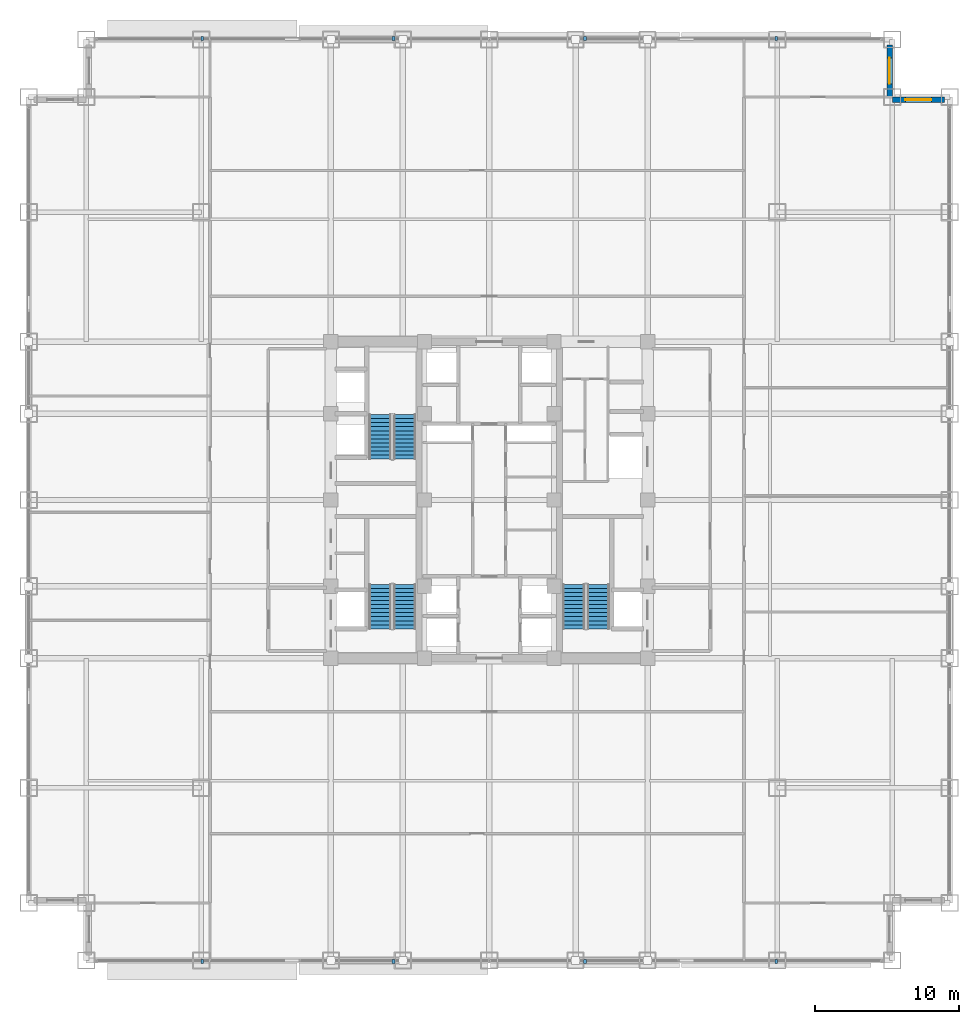
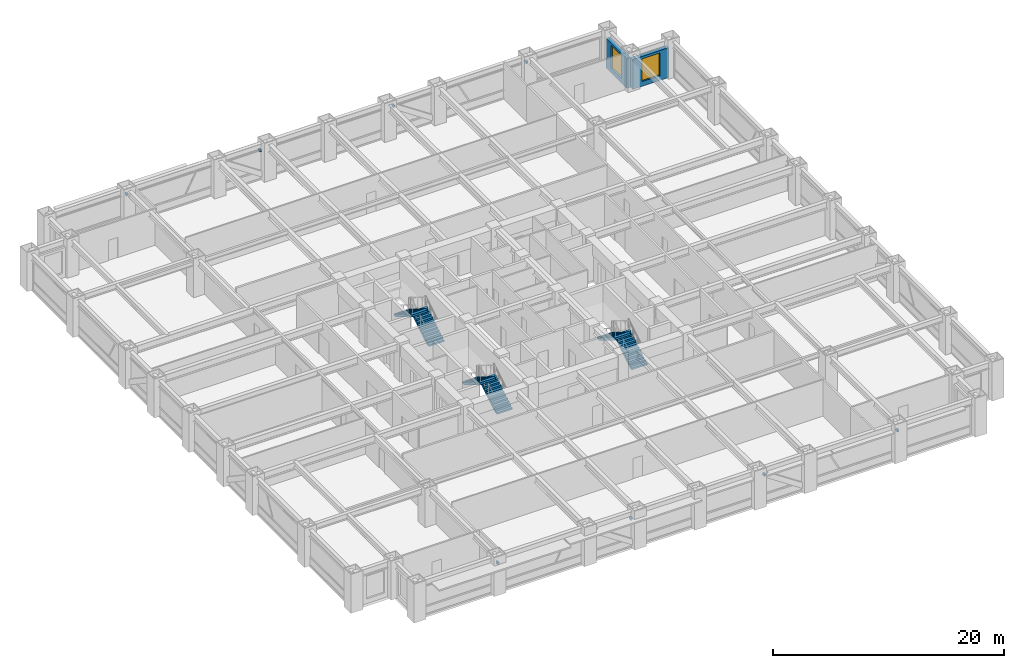
# One storey, part 27 of 32: 8 discrete accessories, 6 stair flights, 2 walls, 2 windows, 2 openings, 3 elements without a shape of their own.
"""IFC4 building model written with IfcOpenShell, lengths in metres."""

from ifc_helpers import new_model, si_unit, direction, frame, frame_2d, origin, origin_2d, place, context, subcontext, project, spatial, polyline, rectangle, outline, extrude, source, transform, mapped, material, layer, layer_set, type_object, element, fill, aggregate, save


model = new_model("IFC4")

# Units and contexts
model_context = context("Model", 3, precision=1e-05, world=origin(), true_north=direction((0.0, 1.0)))
body_context = subcontext(model_context, "Body", "Model", "MODEL_VIEW")
ifc_project = project(units=[si_unit("LENGTHUNIT", "METRE"), si_unit("AREAUNIT", "SQUARE_METRE"), si_unit("VOLUMEUNIT", "CUBIC_METRE"), si_unit("PLANEANGLEUNIT", "RADIAN"), si_unit("MASSUNIT", "GRAM", prefix="KILO")], contexts=[model_context])

# Site, building, storey
site_placement = place(None, origin())
site = spatial("IfcSite", under=ifc_project, at=site_placement, CompositionType="ELEMENT")
building_placement = place(site_placement, origin())
building = spatial("IfcBuilding", under=site, at=building_placement, Name="Khorayat Bourse Tower", CompositionType="ELEMENT")
storey_placement = place(building_placement, frame((0.0, 0.0, 99.60009765625)))
storey = spatial("IfcBuildingStorey", under=building, at=storey_placement, Name="L22", CompositionType="ELEMENT", Elevation=99.60009765625)

# Wall, opening, window
ifc_material_1 = material(Name="Precast concrete C45/55", Category="concrete")
ifc_layer = layer(ifc_material_1, 0.3798828125)
ifc_layer_set = layer_set([ifc_layer], Name="Precast concrete C45/55")
wall_type = type_object("IfcWallType", Name="WAL-EXT-STONE-380", PredefinedType="STANDARD", material=ifc_layer_set)
shared_shape_1 = source(origin(), body_context, "Body", "SweptSolid", [
    extrude(rectangle(XDim=3.6201171875, YDim=0.3798828125, at=frame_2d((1.81005859375, 0.0))), origin(), (0.0, 0.0, 1.0), 3.14501953125),
])
wall_1_placement = place(storey_placement, frame((28.0, 27.81005859375, 0.0), z_axis=(0.0, 0.0, 1.0), x_axis=(1.0, 0.0, 0.0)))
wall_1 = element("IfcWall", 1, at=wall_1_placement, inside=storey, type_object=wall_type, Name="L22 Re-Entrant Notch Limestone Wall NE-H", PredefinedType="STANDARD", context=body_context, shape_type="MappedRepresentation", body=[
    mapped(shared_shape_1, transform((0.0, 0.0, 0.0), scale=1.0)),
])
shared_shape_2 = source(origin(), body_context, "Body", "SweptSolid", [
    extrude(rectangle(XDim=1.800048828125, YDim=2.39990234375, at=frame_2d((0.89990234375, 1.199951171875))), frame((0.0, 0.199951171875, 0.0), z_axis=(0.0, -1.0, 0.0), x_axis=(1.0, 0.0, 0.0)), (0.0, 0.0, 1.0), 0.39990234375),
])
opening_1_placement = place(wall_1_placement, frame((0.909912109375, 0.0, 0.5)))
opening_1 = element("IfcOpeningElement", 2, at=opening_1_placement, cuts=wall_1, Name="Opening WN-04", PredefinedType="OPENING", context=body_context, shape_type="MappedRepresentation", body=[
    mapped(shared_shape_2, transform((0.0, 0.0, 0.0), scale=1.0)),
])
ifc_material_2 = material(Name="Low-E acoustic laminated double glazing", Category="glass")
window_type = type_object("IfcWindowType", Name="WIN-NOTCH-1800x2400", PartitioningType="SINGLE_PANEL", PredefinedType="WINDOW", material=ifc_material_2)
shared_shape_3 = source(origin(), body_context, "Body", "SweptSolid", [
    extrude(rectangle(XDim=1.800048828125, YDim=2.39990234375, at=frame_2d((0.89990234375, 1.199951171875))), frame((0.0, 0.030029296875, 0.0), z_axis=(0.0, -1.0, 0.0), x_axis=(1.0, 0.0, 0.0)), (0.0, 0.0, 1.0), 0.06005859375),
])
window_1_placement = place(opening_1_placement, origin())
window_1 = element("IfcWindow", 3, at=window_1_placement, inside=storey, type_object=window_type, Name="L22 Facade Window 1", OverallHeight=2.39990234375, OverallWidth=1.800048828125, PartitioningType="SINGLE_PANEL", PredefinedType="WINDOW", context=body_context, shape_type="MappedRepresentation", body=[
    mapped(shared_shape_3, transform((0.0, 0.0, 0.0), scale=1.0)),
])
fill(opening_1, window_1)

wall_2_placement = place(storey_placement, frame((27.81005859375, 28.0, 0.0), z_axis=(0.0, 0.0, 1.0), x_axis=(0.0, 1.0, 0.0)))
wall_2 = element("IfcWall", 4, at=wall_2_placement, inside=storey, type_object=wall_type, Name="L22 Re-Entrant Notch Limestone Wall NE-V", PredefinedType="STANDARD", context=body_context, shape_type="MappedRepresentation", body=[
    mapped(shared_shape_1, transform((0.0, 0.0, 0.0), scale=1.0)),
])
opening_2_placement = place(wall_2_placement, frame((0.909912109375, 0.0, 0.5)))
opening_2 = element("IfcOpeningElement", 5, at=opening_2_placement, cuts=wall_2, Name="Opening WN-04", PredefinedType="OPENING", context=body_context, shape_type="MappedRepresentation", body=[
    mapped(shared_shape_2, transform((0.0, 0.0, 0.0), scale=1.0)),
])
window_2_placement = place(opening_2_placement, origin())
window_2 = element("IfcWindow", 6, at=window_2_placement, inside=storey, type_object=window_type, Name="L22 Facade Window 1", OverallHeight=2.39990234375, OverallWidth=1.800048828125, PartitioningType="SINGLE_PANEL", PredefinedType="WINDOW", context=body_context, shape_type="MappedRepresentation", body=[
    mapped(shared_shape_3, transform((0.0, 0.0, 0.0), scale=1.0)),
])
fill(opening_2, window_2)

# Stair, stair flights
ifc_material_3 = material(Name="Concrete C40/50", Category="concrete")
stair_type = type_object("IfcStairType", Name="STR-CORE-1550", PredefinedType="HALF_TURN_STAIR", material=ifc_material_3)
stair_1_placement = place(storey_placement, origin())
stair_1 = element("IfcStair", 7, at=stair_1_placement, inside=storey, type_object=stair_type, Name="L22 Exit Stair ST-1", PredefinedType="HALF_TURN_STAIR")
stair_flight_type = type_object("IfcStairFlightType", Name="FLT-CORE-1550", PredefinedType="STRAIGHT", material=ifc_material_3)
shared_shape_4 = source(origin(), body_context, "Body", "SweptSolid", [
    extrude(outline(polyline([(0.0, 0.0), (0.0, 0.1708984375), (0.280029296875, 0.1708984375), (0.280029296875, 0.341552734375), (0.56005859375, 0.341552734375), (0.56005859375, 0.512451171875), (0.840087890625, 0.512451171875), (0.840087890625, 0.683349609375), (1.1201171875, 0.683349609375), (1.1201171875, 0.854248046875), (1.39990234375, 0.854248046875), (1.39990234375, 1.02490234375), (1.679931640625, 1.02490234375), (1.679931640625, 1.19580078125), (1.9599609375, 1.19580078125), (1.9599609375, 1.36669921875), (2.239990234375, 1.36669921875), (2.239990234375, 1.53759765625), (2.52001953125, 1.53759765625), (2.52001953125, 1.708251953125), (2.800048828125, 1.708251953125), (2.800048828125, 1.879150390625), (3.080078125, 1.879150390625), (3.080078125, 2.050048828125), (3.080078125, 1.66845703125), (0.345458984375, 0.0), (0.0, 0.0)])), frame((0.0, 0.77490234375, 0.0), z_axis=(0.0, -1.0, 0.0), x_axis=(1.0, 0.0, 0.0)), (0.0, 0.0, 1.0), 1.550048828125),
])
stair_flight_1_placement = place(storey_placement, frame((-5.875, -8.949951171875, 0.0), z_axis=(0.0, 0.0, 1.0), x_axis=(0.0, 1.0, 0.0)))
stair_flight_1 = element("IfcStairFlight", 8, at=stair_flight_1_placement, type_object=stair_flight_type, Name="ST-1 flight 1", NumberOfRisers=12, NumberOfTreads=11, PredefinedType="STRAIGHT", RiserHeight=0.170833333, TreadLength=0.28, context=body_context, shape_type="MappedRepresentation", body=[
    mapped(shared_shape_4, transform((0.0, 0.0, 0.0), scale=1.0)),
])
stair_flight_2_placement = place(storey_placement, frame((-7.574951171875, -5.8701171875, 2.0498046875), z_axis=(0.0, 0.0, 1.0), x_axis=(0.0, -1.0, 0.0)))
stair_flight_2 = element("IfcStairFlight", 9, at=stair_flight_2_placement, type_object=stair_flight_type, Name="ST-1 flight 2", NumberOfRisers=12, NumberOfTreads=11, PredefinedType="STRAIGHT", RiserHeight=0.170833333, TreadLength=0.28, context=body_context, shape_type="MappedRepresentation", body=[
    mapped(shared_shape_4, transform((0.0, 0.0, 0.0), scale=1.0)),
])
aggregate(stair_1, [stair_flight_1, stair_flight_2])

stair_2_placement = place(storey_placement, origin())
stair_2 = element("IfcStair", 10, at=stair_2_placement, inside=storey, type_object=stair_type, Name="L22 Exit Stair ST-2", PredefinedType="HALF_TURN_STAIR")
stair_flight_3_placement = place(storey_placement, frame((-5.875, 2.85009765625, 0.0), z_axis=(0.0, 0.0, 1.0), x_axis=(0.0, 1.0, 0.0)))
stair_flight_3 = element("IfcStairFlight", 11, at=stair_flight_3_placement, type_object=stair_flight_type, Name="ST-2 flight 1", NumberOfRisers=12, NumberOfTreads=11, PredefinedType="STRAIGHT", RiserHeight=0.170833333, TreadLength=0.28, context=body_context, shape_type="MappedRepresentation", body=[
    mapped(shared_shape_4, transform((0.0, 0.0, 0.0), scale=1.0)),
])
stair_flight_4_placement = place(storey_placement, frame((-7.574951171875, 5.929931640625, 2.0498046875), z_axis=(0.0, 0.0, 1.0), x_axis=(0.0, -1.0, 0.0)))
stair_flight_4 = element("IfcStairFlight", 12, at=stair_flight_4_placement, type_object=stair_flight_type, Name="ST-2 flight 2", NumberOfRisers=12, NumberOfTreads=11, PredefinedType="STRAIGHT", RiserHeight=0.170833333, TreadLength=0.28, context=body_context, shape_type="MappedRepresentation", body=[
    mapped(shared_shape_4, transform((0.0, 0.0, 0.0), scale=1.0)),
])
aggregate(stair_2, [stair_flight_3, stair_flight_4])

stair_3_placement = place(storey_placement, origin())
stair_3 = element("IfcStair", 13, at=stair_3_placement, inside=storey, type_object=stair_type, Name="L22 Exit Stair ST-3", PredefinedType="HALF_TURN_STAIR")
stair_flight_5_placement = place(storey_placement, frame((7.574951171875, -8.949951171875, 0.0), z_axis=(0.0, 0.0, 1.0), x_axis=(0.0, 1.0, 0.0)))
stair_flight_5 = element("IfcStairFlight", 14, at=stair_flight_5_placement, type_object=stair_flight_type, Name="ST-3 flight 1", NumberOfRisers=12, NumberOfTreads=11, PredefinedType="STRAIGHT", RiserHeight=0.170833333, TreadLength=0.28, context=body_context, shape_type="MappedRepresentation", body=[
    mapped(shared_shape_4, transform((0.0, 0.0, 0.0), scale=1.0)),
])
stair_flight_6_placement = place(storey_placement, frame((5.875, -5.8701171875, 2.0498046875), z_axis=(0.0, 0.0, 1.0), x_axis=(0.0, -1.0, 0.0)))
stair_flight_6 = element("IfcStairFlight", 15, at=stair_flight_6_placement, type_object=stair_flight_type, Name="ST-3 flight 2", NumberOfRisers=12, NumberOfTreads=11, PredefinedType="STRAIGHT", RiserHeight=0.170833333, TreadLength=0.28, context=body_context, shape_type="MappedRepresentation", body=[
    mapped(shared_shape_4, transform((0.0, 0.0, 0.0), scale=1.0)),
])
aggregate(stair_3, [stair_flight_5, stair_flight_6])

# Discrete accessories
ifc_material_4 = material(Name="Steel EN 10025-2 S355J2", Category="steel")
discrete_accessory_type = type_object("IfcDiscreteAccessoryType", Name="ACC-SHADE-BRACKET", PredefinedType="BRACKET", material=ifc_material_4)
shared_shape_5 = source(origin(), body_context, "Body", "SweptSolid", [
    extrude(rectangle(XDim=0.179931640625, YDim=0.300048828125, at=origin_2d()), origin(), (0.0, 0.0, 1.0), 0.239990234375),
])
for number, where, z_axis, x_axis, name in (
    (16, (-19.949951171875, -32.06005859375, 2.93994140625), (0.0, 0.0, 1.0), (1.0, 0.0, 0.0), "L22 Sunshade Support Bracket S-1"),
    (17, (-6.64990234375, -32.06005859375, 2.93994140625), (0.0, 0.0, 1.0), (1.0, 0.0, 0.0), "L22 Sunshade Support Bracket S-2"),
    (18, (6.64990234375, -32.06005859375, 2.93994140625), (0.0, 0.0, 1.0), (1.0, 0.0, 0.0), "L22 Sunshade Support Bracket S-3"),
    (19, (19.949951171875, -32.06005859375, 2.93994140625), (0.0, 0.0, 1.0), (1.0, 0.0, 0.0), "L22 Sunshade Support Bracket S-4"),
    (20, (-19.949951171875, 32.06005859375, 2.93994140625), (0.0, 0.0, 1.0), (1.0, 0.0, 0.0), "L22 Sunshade Support Bracket N-1"),
    (21, (-6.64990234375, 32.06005859375, 2.93994140625), (0.0, 0.0, 1.0), (1.0, 0.0, 0.0), "L22 Sunshade Support Bracket N-2"),
    (22, (6.64990234375, 32.06005859375, 2.93994140625), (0.0, 0.0, 1.0), (1.0, 0.0, 0.0), "L22 Sunshade Support Bracket N-3"),
    (23, (19.949951171875, 32.06005859375, 2.93994140625), (0.0, 0.0, 1.0), (1.0, 0.0, 0.0), "L22 Sunshade Support Bracket N-4"),
):
    element("IfcDiscreteAccessory", number, at=place(storey_placement, frame(where, z_axis=z_axis, x_axis=x_axis)), inside=storey, type_object=discrete_accessory_type, Name=name, PredefinedType="BRACKET", context=body_context, shape_type="MappedRepresentation", body=[
        mapped(shared_shape_5, transform((0.0, 0.0, 0.0), scale=1.0)),
    ])

save(model, "model.ifc")
